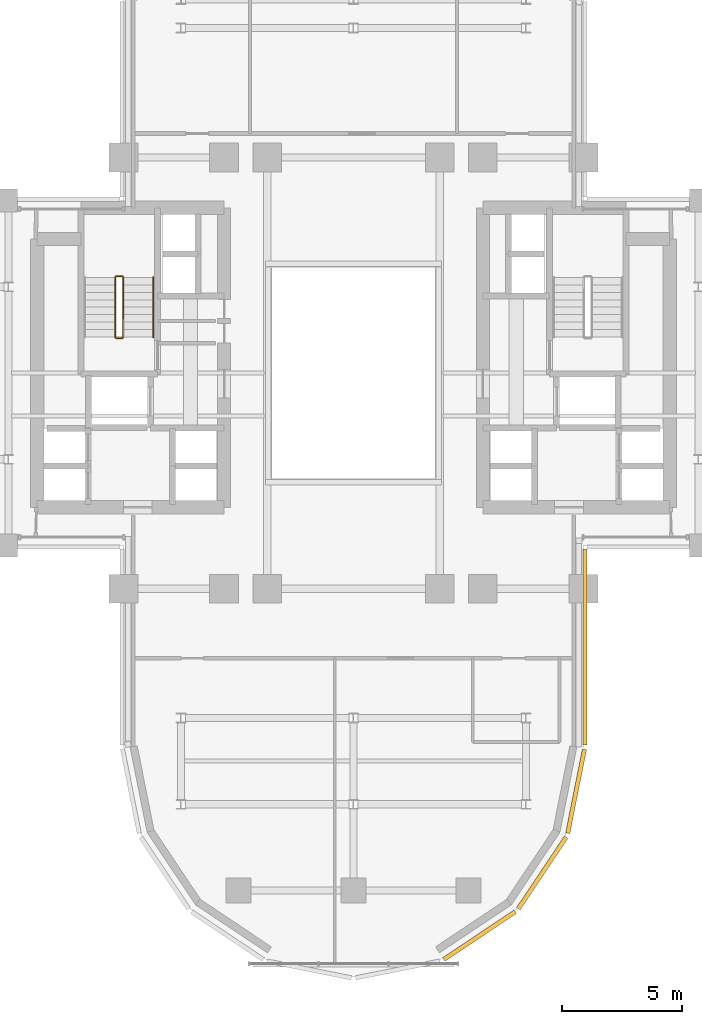
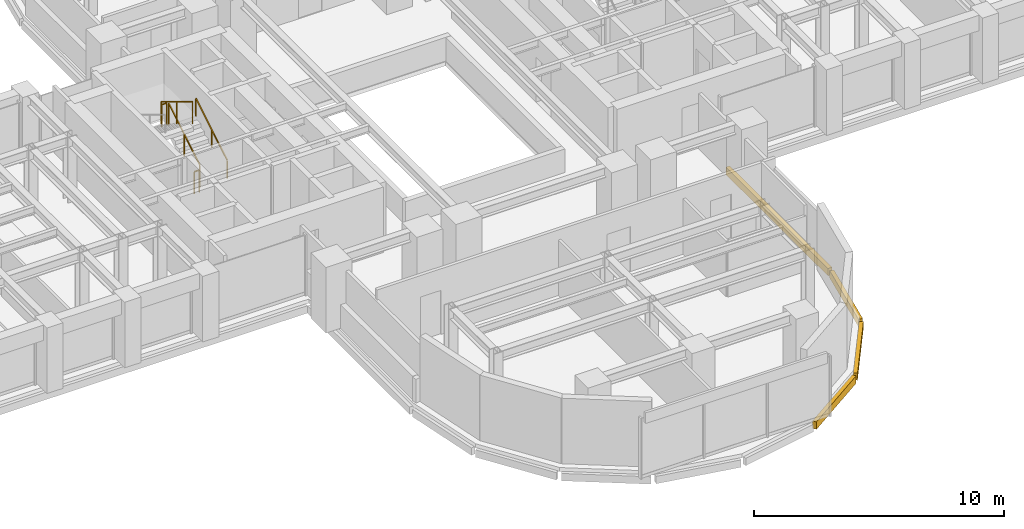
# One storey, part 14 of 16: 5 railings, 4 coverings.
"""IFC4 building model written with IfcOpenShell, lengths in metres."""

from ifc_helpers import new_model, si_unit, direction, frame, origin, origin_2d, place, context, subcontext, project, spatial, rectangle, extrude, source, transform, mapped, material, layer, layer_set, type_object, element, save


model = new_model("IFC4")

# Units and contexts
model_context = context("Model", 3, precision=1e-05, world=origin(), true_north=direction((0.0, 1.0)))
body_context = subcontext(model_context, "Body", "Model", "MODEL_VIEW")
ifc_project = project(units=[si_unit("LENGTHUNIT", "METRE"), si_unit("AREAUNIT", "SQUARE_METRE"), si_unit("VOLUMEUNIT", "CUBIC_METRE"), si_unit("PLANEANGLEUNIT", "RADIAN"), si_unit("MASSUNIT", "GRAM", prefix="KILO")], contexts=[model_context])

# Site, building, storey
site_placement = place(None, origin())
site = spatial("IfcSite", under=ifc_project, at=site_placement, CompositionType="ELEMENT")
building_placement = place(site_placement, origin())
building = spatial("IfcBuilding", under=site, at=building_placement, Name="Keilestroom Media Tower", CompositionType="ELEMENT")
storey_placement = place(building_placement, frame((0.0, 0.0, 81.60009765625)))
storey = spatial("IfcBuildingStorey", under=building, at=storey_placement, Name="L21", CompositionType="ELEMENT", Elevation=81.60009765625)

# Railings
ifc_material_1 = material(Name="Brushed Stainless Steel 1.4301", Category="steel")
railing_type_1 = type_object("IfcRailingType", Name="Stair-Pitch-Handrail-920", PredefinedType="HANDRAIL", material=ifc_material_1)
railing_1_placement = place(storey_placement, frame((-8.35009765625, 1.5, 0.188720703125)))
element("IfcRailing", 1, at=railing_1_placement, inside=storey, type_object=railing_type_1, Name="L21 ST-1 stair handrail 1", PredefinedType="HANDRAIL", context=body_context, shape_type="SweptSolid", body=[
    extrude(rectangle(XDim=0.048095703125, YDim=0.048095703125, at=origin_2d()), frame((0.0, 0.0, 0.8759765625), z_axis=(0.0, 0.855433747314, 0.517912255074), x_axis=(-1.0, 0.0, 0.0)), (0.0, 0.0, 1.0), 2.91796875),
    extrude(rectangle(XDim=0.0419921875, YDim=0.0419921875, at=origin_2d()), origin(), (0.0, 0.0, 1.0), 0.84375),
    extrude(rectangle(XDim=0.0419921875, YDim=0.0419921875, at=origin_2d()), frame((0.0, 1.248046875, 0.755615234375)), (0.0, 0.0, 1.0), 0.84375),
    extrude(rectangle(XDim=0.0419921875, YDim=0.0419921875, at=origin_2d()), frame((0.0, 2.49609375, 1.51123046875)), (0.0, 0.0, 1.0), 0.84375),
])
ifc_material_2 = material(Name="Painted Steel Balustrade", Category="steel")
railing_type_2 = type_object("IfcRailingType", Name="Stair-Well-And-Landing-Guard-1100", PredefinedType="GUARDRAIL", material=ifc_material_2)
railing_2_placement = place(storey_placement, frame((-9.610107421875, 1.5, 0.188720703125)))
element("IfcRailing", 2, at=railing_2_placement, inside=storey, type_object=railing_type_2, Name="L21 ST-1 stair guard 1", PredefinedType="GUARDRAIL", context=body_context, shape_type="SweptSolid", body=[
    extrude(rectangle(XDim=0.048095703125, YDim=0.048095703125, at=origin_2d()), frame((0.0, 0.0, 1.076171875), z_axis=(0.0, 0.855433747314, 0.517912255074), x_axis=(-1.0, 0.0, 0.0)), (0.0, 0.0, 1.0), 2.91796875),
    extrude(rectangle(XDim=0.0419921875, YDim=0.0419921875, at=origin_2d()), origin(), (0.0, 0.0, 1.0), 1.0439453125),
    extrude(rectangle(XDim=0.0419921875, YDim=0.0419921875, at=origin_2d()), frame((0.0, 1.248046875, 0.755615234375)), (0.0, 0.0, 1.0), 1.0439453125),
    extrude(rectangle(XDim=0.0419921875, YDim=0.0419921875, at=origin_2d()), frame((0.0, 2.49609375, 1.51123046875)), (0.0, 0.0, 1.0), 1.0439453125),
])
railing_3_placement = place(storey_placement, frame((-9.659912109375, 4.0458984375, 1.699951171875)))
element("IfcRailing", 3, at=railing_3_placement, inside=storey, type_object=railing_type_2, Name="L21 ST-1 stair guard 2", PredefinedType="GUARDRAIL", context=body_context, shape_type="SweptSolid", body=[
    extrude(rectangle(XDim=0.048095703125, YDim=0.048095703125, at=origin_2d()), frame((0.0, 0.0, 1.076171875), z_axis=(-1.0, 0.0, 0.0), x_axis=(0.0, -1.0, 0.0)), (0.0, 0.0, 1.0), 0.239990234375),
    extrude(rectangle(XDim=0.0419921875, YDim=0.0419921875, at=origin_2d()), origin(), (0.0, 0.0, 1.0), 1.0439453125),
    extrude(rectangle(XDim=0.0419921875, YDim=0.0419921875, at=origin_2d()), frame((-0.239990234375, 0.0, 0.0)), (0.0, 0.0, 1.0), 1.0439453125),
])
railing_4_placement = place(storey_placement, frame((-9.949951171875, 3.99609375, 1.888671875)))
element("IfcRailing", 4, at=railing_4_placement, inside=storey, type_object=railing_type_2, Name="L21 ST-1 stair guard 3", PredefinedType="GUARDRAIL", context=body_context, shape_type="SweptSolid", body=[
    extrude(rectangle(XDim=0.048095703125, YDim=0.048095703125, at=origin_2d()), frame((0.0, 0.0, 1.076171875), z_axis=(0.0, -0.855433747314, 0.517912255074), x_axis=(1.0, 0.0, 0.0)), (0.0, 0.0, 1.0), 2.91796875),
    extrude(rectangle(XDim=0.0419921875, YDim=0.0419921875, at=origin_2d()), origin(), (0.0, 0.0, 1.0), 1.0439453125),
    extrude(rectangle(XDim=0.0419921875, YDim=0.0419921875, at=origin_2d()), frame((0.0, -1.248046875, 0.755615234375)), (0.0, 0.0, 1.0), 1.0439453125),
    extrude(rectangle(XDim=0.0419921875, YDim=0.0419921875, at=origin_2d()), frame((0.0, -2.49609375, 1.51123046875)), (0.0, 0.0, 1.0), 1.0439453125),
])
railing_5_placement = place(storey_placement, frame((-9.659912109375, 1.449951171875, 0.0)))
element("IfcRailing", 5, at=railing_5_placement, inside=storey, type_object=railing_type_2, Name="L21 ST-1 stair guard 4", PredefinedType="GUARDRAIL", context=body_context, shape_type="SweptSolid", body=[
    extrude(rectangle(XDim=0.048095703125, YDim=0.048095703125, at=origin_2d()), frame((0.0, 0.0, 1.076171875), z_axis=(-1.0, 0.0, 0.0), x_axis=(0.0, -1.0, 0.0)), (0.0, 0.0, 1.0), 0.239990234375),
    extrude(rectangle(XDim=0.0419921875, YDim=0.0419921875, at=origin_2d()), origin(), (0.0, 0.0, 1.0), 1.0439453125),
    extrude(rectangle(XDim=0.0419921875, YDim=0.0419921875, at=origin_2d()), frame((-0.239990234375, 0.0, 0.0)), (0.0, 0.0, 1.0), 1.0439453125),
])

# Coverings
ifc_material_3 = material(Name="Precast concrete C40/50", Category="concrete")
ifc_layer = layer(ifc_material_3, 0.1201171875)
ifc_layer_set = layer_set([ifc_layer], Name="Precast concrete C40/50")
covering_type = type_object("IfcCoveringType", Name="Exterior-Precast-Spandrel-Cladding-Panel-120", PredefinedType="CLADDING", material=ifc_layer_set)
shared_shape_1 = source(origin(), body_context, "Body", "SweptSolid", [
    extrude(rectangle(XDim=8.166015625, YDim=0.179931640625, at=origin_2d()), origin(), (0.0, 0.0, 1.0), 0.360107421875),
])
covering_1_placement = place(storey_placement, frame((9.659912109375, -11.43310546875, -0.5400390625), z_axis=(0.0, 0.0, 1.0), x_axis=(0.0, -1.0, 0.0)))
element("IfcCovering", 6, at=covering_1_placement, inside=storey, type_object=covering_type, Name="L21 Precast Slab-Edge Fascia Cornice 06", PredefinedType="CLADDING", context=body_context, shape_type="MappedRepresentation", body=[
    mapped(shared_shape_1, transform((0.0, 0.0, 0.0), x_axis=(1.0, 0.0, 0.0), y_axis=(0.0, 1.0, 0.0), z_axis=(0.0, 0.0, 1.0), scale=1.0)),
])
shared_shape_2 = source(origin(), body_context, "Body", "SweptSolid", [
    extrude(rectangle(XDim=3.58349609375, YDim=0.179931640625, at=origin_2d()), origin(), (0.0, 0.0, 1.0), 0.360107421875),
])
covering_2_placement = place(storey_placement, frame((9.29296875, -17.45166015625, -0.5400390625), z_axis=(0.0, 0.0, 1.0), x_axis=(-0.195098880975, -0.980783577882, 0.0)))
element("IfcCovering", 7, at=covering_2_placement, inside=storey, type_object=covering_type, Name="L21 Precast Slab-Edge Fascia Cornice 07", PredefinedType="CLADDING", context=body_context, shape_type="MappedRepresentation", body=[
    mapped(shared_shape_2, transform((0.0, 0.0, 0.0), x_axis=(1.0, 0.0, 0.0), y_axis=(0.0, 1.0, 0.0), z_axis=(0.0, 0.0, 1.0), scale=1.0)),
])
shared_shape_3 = source(origin(), body_context, "Body", "SweptSolid", [
    extrude(rectangle(XDim=3.589599609375, YDim=0.179931640625, at=origin_2d()), origin(), (0.0, 0.0, 1.0), 0.360107421875),
])
for number, where, z_axis, x_axis, name in (
    (8, (7.878662109375, -20.8642578125, -0.5400390625), (0.0, 0.0, 1.0), (-0.555574586577, -0.831466703332, 0.0), "L21 Precast Slab-Edge Fascia Cornice 08"),
    (9, (5.264404296875, -23.478515625, -0.5400390625), (0.0, 0.0, 1.0), (-0.831466703332, -0.555574586577, 0.0), "L21 Precast Slab-Edge Fascia Cornice 09"),
):
    element("IfcCovering", number, at=place(storey_placement, frame(where, z_axis=z_axis, x_axis=x_axis)), inside=storey, type_object=covering_type, Name=name, PredefinedType="CLADDING", context=body_context, shape_type="MappedRepresentation", body=[
        mapped(shared_shape_3, transform((0.0, 0.0, 0.0), x_axis=(1.0, 0.0, 0.0), y_axis=(0.0, 1.0, 0.0), z_axis=(0.0, 0.0, 1.0), scale=1.0)),
    ])

save(model, "model.ifc")
